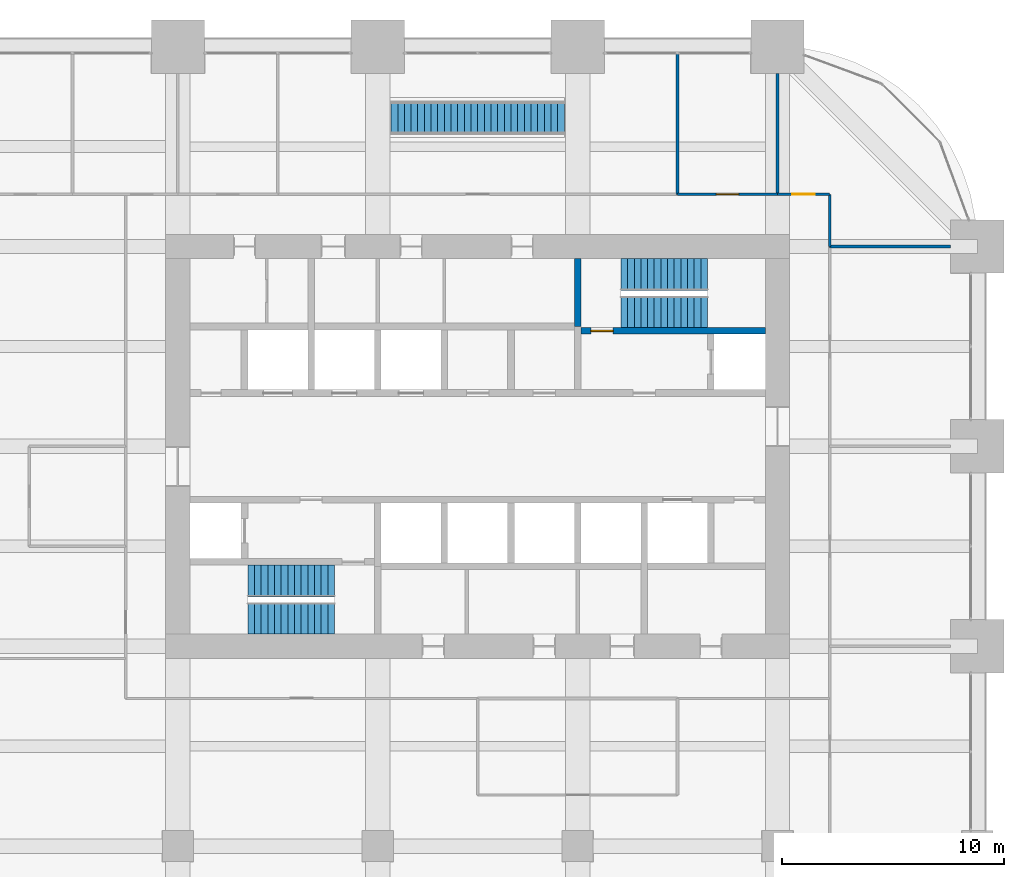
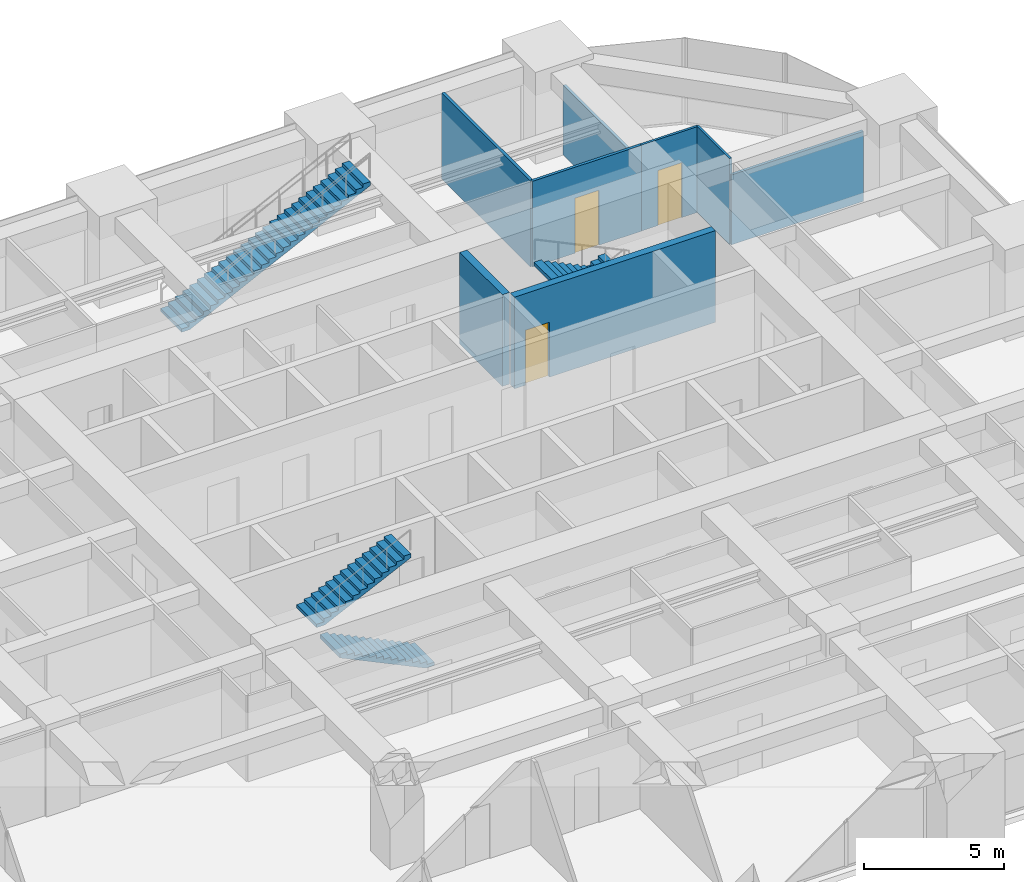
# One storey, part 32 of 34: 8 walls, 5 stair flights, 3 doors, 3 openings, 3 elements without a shape of their own.
"""IFC4 building model written with IfcOpenShell, lengths in metres."""

import ifcopenshell
import ifcopenshell.guid

model = None  # the IFC model being written
_history = None  # IfcOwnerHistory: only IFC2X3 demands one
_inside = {}  # id of a spatial element -> (the spatial element, [elements in it])
_under = {}  # id of a project, library or spatial element -> (it, [spatial elements below it])
_declared = {}  # id of a project -> (the project, [libraries it declares])
_typed = {}  # id of a type object -> (the type object, [elements of that type])
_made_of = {}  # id of a material, layer set ... -> (it, [elements and type objects made of it])


def new_model(schema):
    """Start an empty IFC model of exactly this schema.

    Asked for "IFC4X3", IfcOpenShell would pick the latest addendum, in which some entities
    have other attributes; the version numbers below select the first issue.
    IFC2X3 requires an IfcOwnerHistory on every rooted entity: one is made here for all.
    """
    global model, _history
    if schema == "IFC4X3":
        model = ifcopenshell.file(schema_version=(4, 3, 0, 0))
    else:
        model = ifcopenshell.file(schema=schema)
    _inside.clear()
    _under.clear()
    _declared.clear()
    _typed.clear()
    _made_of.clear()
    _history = None
    if model.schema == "IFC2X3":
        org = make("IfcOrganization", Name="unknown")
        user = make(
            "IfcPersonAndOrganization",
            ThePerson=make("IfcPerson", FamilyName="unknown"),
            TheOrganization=org,
        )
        app = make(
            "IfcApplication",
            ApplicationDeveloper=org,
            Version="unknown",
            ApplicationFullName="unknown",
            ApplicationIdentifier="unknown",
        )
        _history = make(
            "IfcOwnerHistory",
            OwningUser=user,
            OwningApplication=app,
            ChangeAction="ADDED",
            CreationDate=0,
        )
    return model


def make(cls, **values):
    """One entity of the class cls with the attributes given. An attribute that is None is left unset."""
    return model.create_entity(
        cls, **{name: value for name, value in values.items() if value is not None}
    )


def rooted(cls, **values):
    """An entity with a GlobalId (a new one), such as an element, a storey or a relation."""
    return make(cls, GlobalId=ifcopenshell.guid.new(), OwnerHistory=_history, **values)


def si_unit(unit_type, name, prefix=None):
    """IfcSIUnit, for example si_unit("LENGTHUNIT", "METRE", prefix="MILLI")."""
    return make("IfcSIUnit", UnitType=unit_type, Prefix=prefix, Name=name)


def assignment(units):
    """IfcUnitAssignment: the units of a project."""
    return None if units is None else make("IfcUnitAssignment", Units=units)


def point(xyz):
    """IfcCartesianPoint."""
    return None if xyz is None else make("IfcCartesianPoint", Coordinates=xyz)


def direction(xyz):
    """IfcDirection."""
    return None if xyz is None else make("IfcDirection", DirectionRatios=xyz)


def frame(location, z_axis=None, x_axis=None):
    """IfcAxis2Placement3D, a coordinate frame: its origin and axes. An axis left out is left unset."""
    return make(
        "IfcAxis2Placement3D",
        Location=point(location),
        Axis=direction(z_axis),
        RefDirection=direction(x_axis),
    )


def frame_2d(location, x_axis=None):
    """IfcAxis2Placement2D, a coordinate frame in the plane: its origin and x axis."""
    return make(
        "IfcAxis2Placement2D", Location=point(location), RefDirection=direction(x_axis)
    )


def origin():
    """The frame at (0, 0, 0) with its axes left unset."""
    return frame((0.0, 0.0, 0.0))


def place(relative_to, where):
    """IfcLocalPlacement: puts the frame where relative to a parent placement (None: the world)."""
    return make(
        "IfcLocalPlacement", PlacementRelTo=relative_to, RelativePlacement=where
    )


def context(
    kind, dimensions, precision=None, world=None, true_north=None, identifier=None
):
    """IfcGeometricRepresentationContext, for example the 3D "Model" context."""
    return make(
        "IfcGeometricRepresentationContext",
        ContextIdentifier=identifier,
        ContextType=kind,
        CoordinateSpaceDimension=dimensions,
        Precision=precision,
        WorldCoordinateSystem=world,
        TrueNorth=true_north,
    )


def subcontext(parent, identifier, kind, view, scale=None):
    """IfcGeometricRepresentationSubContext, for example "Body" below "Model"."""
    return make(
        "IfcGeometricRepresentationSubContext",
        ContextIdentifier=identifier,
        ContextType=kind,
        ParentContext=parent,
        TargetScale=scale,
        TargetView=view,
    )


def project(units=None, contexts=None):
    """IfcProject with its units and contexts."""
    return rooted(
        "IfcProject",
        Name="project",
        RepresentationContexts=contexts,
        UnitsInContext=assignment(units),
    )


def spatial(cls, under=None, at=None, **own):
    """A site, building, storey or space (cls), placed at a placement, below another one or the project."""
    s = rooted(cls, ObjectPlacement=at, **own)
    if under is not None:
        _under.setdefault(under.id(), (under, []))[1].append(s)
    return s


def polyline(points):
    """IfcPolyline through the points."""
    return make("IfcPolyline", Points=[point(p) for p in points])


def profile(cls, at=None, kind="AREA", **sizes):
    """A parametric profile (cls). Its sizes go by their IFC names, for example OverallWidth=200.0."""
    return make(cls, ProfileType=kind, Position=at, **sizes)


def rectangle(**sizes):
    """IfcRectangleProfileDef."""
    return profile("IfcRectangleProfileDef", **sizes)


def outline(outer, holes=None, kind="AREA"):
    """IfcArbitraryClosedProfileDef: a profile drawn as a closed curve; with holes, ...WithVoids."""
    if holes is None:
        return make("IfcArbitraryClosedProfileDef", ProfileType=kind, OuterCurve=outer)
    return make(
        "IfcArbitraryProfileDefWithVoids",
        ProfileType=kind,
        OuterCurve=outer,
        InnerCurves=holes,
    )


def extrude(swept, where, along, depth):
    """IfcExtrudedAreaSolid: the profile swept, set in the frame where, extruded along a direction by depth."""
    return make(
        "IfcExtrudedAreaSolid",
        SweptArea=swept,
        Position=where,
        ExtrudedDirection=direction(along),
        Depth=depth,
    )


def shape(context_of_items, identifier, shape_type, items):
    """IfcShapeRepresentation: the items that make up one representation, for example the "Body"."""
    return make(
        "IfcShapeRepresentation",
        ContextOfItems=context_of_items,
        RepresentationIdentifier=identifier,
        RepresentationType=shape_type,
        Items=items,
    )


def material(Name=None, Category=None):
    """IfcMaterial."""
    return make("IfcMaterial", Name=Name, Category=Category)


def layer(
    of_material, thickness, ventilated=None, Name=None, Category=None, Priority=None
):
    """IfcMaterialLayer: one layer of a wall or slab, of a material (None: an air gap)."""
    return make(
        "IfcMaterialLayer",
        Material=of_material,
        LayerThickness=thickness,
        IsVentilated=ventilated,
        Name=Name,
        Category=Category,
        Priority=Priority,
    )


def layer_set(layers, Name=None):
    """IfcMaterialLayerSet."""
    return make("IfcMaterialLayerSet", MaterialLayers=layers, LayerSetName=Name)


def constituent(of_material, Name=None, Category=None, fraction=None):
    """IfcMaterialConstituent: one of the materials an element consists of."""
    return make(
        "IfcMaterialConstituent",
        Name=Name,
        Material=of_material,
        Fraction=fraction,
        Category=Category,
    )


def constituent_set(constituents=None, Name=None):
    """IfcMaterialConstituentSet."""
    return make(
        "IfcMaterialConstituentSet", Name=Name, MaterialConstituents=constituents
    )


def made_of(thing, what):
    """Note that an element or type object is made of a material, layer set ...; save() writes the relation."""
    if what is not None:
        _made_of.setdefault(what.id(), (what, []))[1].append(thing)
    return thing


def type_object(cls, material=None, **own):
    """A type object (cls), such as IfcWallType, which elements share."""
    return made_of(rooted(cls, **own), material)


def element(
    cls,
    number,
    at=None,
    inside=None,
    cuts=None,
    type_object=None,
    material=None,
    context=None,
    identifier="Body",
    shape_type=None,
    held_by="IfcProductDefinitionShape",
    body=None,
    shapes=None,
    **own,
):
    """One element of the class cls, such as IfcWall. Its Tag is "e" and its number.

    at: its placement. inside: the storey or other place that contains it. cuts: it is an
    opening in that element (IfcRelVoidsElement). A single representation is given by context,
    identifier, shape_type and body (its items); several are given by shapes. held_by: the class
    of the entity that holds the representations. save() writes the other relations.
    """
    e = rooted(cls, Tag="e%d" % number, ObjectPlacement=at, **own)
    if body is not None:
        shapes = [shape(context, identifier, shape_type, body)]
    if shapes is not None:
        e.Representation = make(held_by, Representations=shapes)
    if inside is not None:
        _inside.setdefault(inside.id(), (inside, []))[1].append(e)
    if cuts is not None:
        rooted(
            "IfcRelVoidsElement", RelatingBuildingElement=cuts, RelatedOpeningElement=e
        )
    if type_object is not None:
        _typed.setdefault(type_object.id(), (type_object, []))[1].append(e)
    return made_of(e, material)


def fill(opening, filler):
    """IfcRelFillsElement: the door or window that sits in an opening."""
    return rooted(
        "IfcRelFillsElement",
        RelatingOpeningElement=opening,
        RelatedBuildingElement=filler,
    )


def aggregate(whole, parts):
    """IfcRelAggregates: a whole, such as a stair, and the parts it consists of."""
    return rooted("IfcRelAggregates", RelatingObject=whole, RelatedObjects=parts)


def save(model, path):
    """Write the relations noted so far, then the file.

    IfcRelAggregates (storeys below a building ...), IfcRelContainedInSpatialStructure (elements
    in a storey), IfcRelDefinesByType, IfcRelAssociatesMaterial and IfcRelDeclares: one each for
    every whole, place, type object, material and project.
    """
    for whole, parts in _under.values():
        aggregate(whole, parts)
    for where, things in _inside.values():
        rooted(
            "IfcRelContainedInSpatialStructure",
            RelatedElements=things,
            RelatingStructure=where,
        )
    for kind, things in _typed.values():
        rooted("IfcRelDefinesByType", RelatedObjects=things, RelatingType=kind)
    for what, things in _made_of.values():
        rooted("IfcRelAssociatesMaterial", RelatedObjects=things, RelatingMaterial=what)
    for by, libraries in _declared.values():
        rooted("IfcRelDeclares", RelatingContext=by, RelatedDefinitions=libraries)
    model.write(path)


model = new_model("IFC4")

# Units and contexts
model_context = context("Model", 3, precision=1e-05, world=origin(), true_north=direction((0.0, 1.0)))
body_context = subcontext(model_context, "Body", "Model", "MODEL_VIEW")
ifc_project = project(units=[si_unit("LENGTHUNIT", "METRE"), si_unit("AREAUNIT", "SQUARE_METRE"), si_unit("VOLUMEUNIT", "CUBIC_METRE"), si_unit("PLANEANGLEUNIT", "RADIAN"), si_unit("MASSUNIT", "GRAM", prefix="KILO")], contexts=[model_context])

# Site, building, storey
site_placement = place(None, origin())
site = spatial("IfcSite", under=ifc_project, at=site_placement, CompositionType="ELEMENT")
building_placement = place(site_placement, origin())
building = spatial("IfcBuilding", under=site, at=building_placement, Name="Zorevar Civic Tower", CompositionType="ELEMENT")
storey_placement = place(building_placement, frame((0.0, 0.0, 214.199951171875)))
storey = spatial("IfcBuildingStorey", under=building, at=storey_placement, Name="L52", CompositionType="ELEMENT", Elevation=214.199951171875)

# Wall, opening, door
ifc_material_1 = material(Name="Laminated glass in black aluminium frame", Category="aluminium")
ifc_layer_1 = layer(ifc_material_1, 0.10009765625)
ifc_layer_set_1 = layer_set([ifc_layer_1], Name="Glazed partition 100")
wall_type_1 = type_object("IfcWallType", Name="Glazed partition 100", PredefinedType="PARTITIONING", material=ifc_layer_set_1)
wall_1_placement = place(storey_placement, frame((45.0, 38.35009765625, 0.0), z_axis=(0.0, 0.0, 1.0), x_axis=(1.0, 0.0, 0.0)))
wall_1 = element("IfcWall", 1, at=wall_1_placement, inside=storey, type_object=wall_type_1, Name="Glazed partition 100 L52", PredefinedType="PARTITIONING", context=body_context, shape_type="SweptSolid", body=[
    extrude(rectangle(XDim=2.35009765625, YDim=0.10009765625, at=frame_2d((1.175048828125, 0.0))), origin(), (0.0, 0.0, 1.0), 3.75),
])
opening_1_placement = place(wall_1_placement, frame((0.675048828125, 0.0, 0.0)))
opening_1 = element("IfcOpeningElement", 2, at=opening_1_placement, cuts=wall_1, Name="Opening L52.31", PredefinedType="OPENING", context=body_context, shape_type="SweptSolid", body=[
    extrude(rectangle(XDim=1.0, YDim=2.39990234375, at=frame_2d((0.5, 1.199951171875))), frame((0.0, 0.06005859375, 0.0), z_axis=(0.0, -1.0, 0.0), x_axis=(1.0, 0.0, 0.0)), (0.0, 0.0, 1.0), 0.1201171875),
])
ifc_material_2 = material(Name="Timber door set", Category="wood")
door_type_1 = type_object("IfcDoorType", Name="Glazed door GD1 1000x2400", OperationType="SINGLE_SWING_LEFT", PredefinedType="DOOR", material=ifc_material_2)
door_1_placement = place(opening_1_placement, origin())
door_1 = element("IfcDoor", 3, at=door_1_placement, inside=storey, type_object=door_type_1, Name="Door L52 D1", OperationType="SINGLE_SWING_RIGHT", OverallHeight=2.39990234375, OverallWidth=1.0, PredefinedType="DOOR", context=body_context, shape_type="SweptSolid", body=[
    extrude(rectangle(XDim=1.0, YDim=2.39990234375, at=frame_2d((0.5, 1.199951171875))), frame((0.0, 0.02001953125, 0.0), z_axis=(0.0, -1.0, 0.0), x_axis=(1.0, 0.0, 0.0)), (0.0, 0.0, 1.0), 0.0400390625),
])
fill(opening_1, door_1)

# Wall
wall_2_placement = place(storey_placement, frame((47.35009765625, 36.0, 0.0), z_axis=(0.0, 0.0, 1.0), x_axis=(0.0, 1.0, 0.0)))
element("IfcWall", 4, at=wall_2_placement, inside=storey, type_object=wall_type_1, Name="Glazed partition 100 L52", PredefinedType="PARTITIONING", context=body_context, shape_type="SweptSolid", body=[
    extrude(rectangle(XDim=2.35009765625, YDim=0.10009765625, at=frame_2d((1.175048828125, 0.0))), origin(), (0.0, 0.0, 1.0), 3.75),
])

# Wall, opening, door
ifc_material_3 = material(Name="Concrete C40/50", Category="concrete")
ifc_layer_2 = layer(ifc_material_3, 0.300048828125)
ifc_layer_set_2 = layer_set([ifc_layer_2], Name="Inner core wall 300")
wall_type_2 = type_object("IfcWallType", Name="Inner core wall 300", PredefinedType="SHEAR", material=ifc_layer_set_2)
wall_3_placement = place(storey_placement, frame((36.14990234375, 32.199951171875, 0.0), z_axis=(0.0, 0.0, 1.0), x_axis=(1.0, 0.0, 0.0)))
wall_3 = element("IfcWall", 5, at=wall_3_placement, inside=storey, type_object=wall_type_2, Name="Inner core wall N00 L52", PredefinedType="SHEAR", context=body_context, shape_type="SweptSolid", body=[
    extrude(rectangle(XDim=8.300048828125, YDim=0.300048828125, at=frame_2d((4.14990234375, 0.0))), origin(), (0.0, 0.0, 1.0), 4.0),
])
opening_2_placement = place(wall_3_placement, frame((0.449951171875, 0.0, 0.0)))
opening_2 = element("IfcOpeningElement", 6, at=opening_2_placement, cuts=wall_3, Name="Opening L52.12", PredefinedType="OPENING", context=body_context, shape_type="SweptSolid", body=[
    extrude(rectangle(XDim=1.0, YDim=2.39990234375, at=frame_2d((0.5, 1.199951171875))), frame((0.0, 0.159912109375, 0.0), z_axis=(0.0, -1.0, 0.0), x_axis=(1.0, 0.0, 0.0)), (0.0, 0.0, 1.0), 0.320068359375),
])
ifc_material_4 = material(Name="Steel door set", Category="steel")
door_type_2 = type_object("IfcDoorType", Name="Fire door FD1 1000x2400", OperationType="SINGLE_SWING_LEFT", PredefinedType="DOOR", material=ifc_material_4)
door_2_placement = place(opening_2_placement, origin())
door_2 = element("IfcDoor", 7, at=door_2_placement, inside=storey, type_object=door_type_2, Name="Door L52 11", OperationType="SINGLE_SWING_RIGHT", OverallHeight=2.39990234375, OverallWidth=1.0, PredefinedType="DOOR", context=body_context, shape_type="SweptSolid", body=[
    extrude(rectangle(XDim=1.0, YDim=2.39990234375, at=frame_2d((0.5, 1.199951171875))), frame((0.0, 0.030029296875, 0.0), z_axis=(0.0, -1.0, 0.0), x_axis=(1.0, 0.0, 0.0)), (0.0, 0.0, 1.0), 0.06005859375),
])
fill(opening_2, door_2)

# Walls
wall_4_placement = place(storey_placement, frame((36.0, 32.39990234375, 0.0), z_axis=(0.0, 0.0, 1.0), x_axis=(0.0, 1.0, 0.0)))
element("IfcWall", 8, at=wall_4_placement, inside=storey, type_object=wall_type_2, Name="Inner core wall N01 L52", PredefinedType="SHEAR", context=body_context, shape_type="SweptSolid", body=[
    extrude(rectangle(XDim=3.050048828125, YDim=0.300048828125, at=frame_2d((1.52490234375, 0.0))), origin(), (0.0, 0.0, 1.0), 4.0),
])
ifc_material_5 = material(Name="Gypsum board on steel studs", Category="steel")
ifc_layer_3 = layer(ifc_material_5, 0.1201171875)
ifc_layer_set_3 = layer_set([ifc_layer_3], Name="Partition 120")
wall_type_3 = type_object("IfcWallType", Name="Partition 120", PredefinedType="PARTITIONING", material=ifc_layer_set_3)
wall_5_placement = place(storey_placement, frame((47.35009765625, 36.0, 0.0), z_axis=(0.0, 0.0, 1.0), x_axis=(1.0, 0.0, 0.0)))
element("IfcWall", 9, at=wall_5_placement, inside=storey, type_object=wall_type_3, Name="Partition 120 L52", PredefinedType="PARTITIONING", context=body_context, shape_type="SweptSolid", body=[
    extrude(rectangle(XDim=5.449951171875, YDim=0.1201171875, at=frame_2d((2.72509765625, 0.0))), origin(), (0.0, 0.0, 1.0), 3.050048828125),
])

# Wall, opening, door
wall_6_placement = place(storey_placement, frame((40.5, 38.35009765625, 0.0), z_axis=(0.0, 0.0, 1.0), x_axis=(1.0, 0.0, 0.0)))
wall_6 = element("IfcWall", 10, at=wall_6_placement, inside=storey, type_object=wall_type_3, Name="Partition 120 L52", PredefinedType="PARTITIONING", context=body_context, shape_type="SweptSolid", body=[
    extrude(rectangle(XDim=4.5, YDim=0.1201171875, at=frame_2d((2.25, 0.0))), origin(), (0.0, 0.0, 1.0), 3.75),
])
opening_3_placement = place(wall_6_placement, frame((1.75, 0.0, 0.0)))
opening_3 = element("IfcOpeningElement", 11, at=opening_3_placement, cuts=wall_6, Name="Opening L52.29", PredefinedType="OPENING", context=body_context, shape_type="SweptSolid", body=[
    extrude(rectangle(XDim=1.0, YDim=2.39990234375, at=frame_2d((0.5, 1.199951171875))), frame((0.0, 0.070068359375, 0.0), z_axis=(0.0, -1.0, 0.0), x_axis=(1.0, 0.0, 0.0)), (0.0, 0.0, 1.0), 0.14013671875),
])
ifc_material_6 = material(Name="Timber door set", Category="wood")
door_type_3 = type_object("IfcDoorType", Name="Door D1 1000x2400", OperationType="SINGLE_SWING_LEFT", PredefinedType="DOOR", material=ifc_material_6)
door_3_placement = place(opening_3_placement, origin())
door_3 = element("IfcDoor", 12, at=door_3_placement, inside=storey, type_object=door_type_3, Name="Door L52 D1", OperationType="SINGLE_SWING_LEFT", OverallHeight=2.39990234375, OverallWidth=1.0, PredefinedType="DOOR", context=body_context, shape_type="SweptSolid", body=[
    extrude(rectangle(XDim=1.0, YDim=2.39990234375, at=frame_2d((0.5, 1.199951171875))), frame((0.0, 0.02490234375, 0.0), z_axis=(0.0, -1.0, 0.0), x_axis=(1.0, 0.0, 0.0)), (0.0, 0.0, 1.0), 0.050048828125),
])
fill(opening_3, door_3)

# Walls
wall_7_placement = place(storey_placement, frame((40.5, 38.35009765625, 0.0), z_axis=(0.0, 0.0, 1.0), x_axis=(0.0, 1.0, 0.0)))
element("IfcWall", 13, at=wall_7_placement, inside=storey, type_object=wall_type_3, Name="Partition 120 L52", PredefinedType="PARTITIONING", context=body_context, shape_type="SweptSolid", body=[
    extrude(rectangle(XDim=6.33984375, YDim=0.1201171875, at=frame_2d((3.169921875, 0.0))), origin(), (0.0, 0.0, 1.0), 3.75),
])
wall_8_placement = place(storey_placement, frame((45.0, 38.35009765625, 0.0), z_axis=(0.0, 0.0, 1.0), x_axis=(0.0, 1.0, 0.0)))
element("IfcWall", 14, at=wall_8_placement, inside=storey, type_object=wall_type_3, Name="Partition 120 L52", PredefinedType="PARTITIONING", context=body_context, shape_type="SweptSolid", body=[
    extrude(rectangle(XDim=5.449951171875, YDim=0.1201171875, at=frame_2d((2.72509765625, 0.0))), origin(), (0.0, 0.0, 1.0), 3.050048828125),
])

# Stair, stair flight
ifc_material_7 = material(Name="Steel S355", Category="steel")
ifc_constituent_1 = constituent(ifc_material_7, Name="Structure")
ifc_material_8 = material(Name="Stone treads", Category="masonry")
ifc_constituent_2 = constituent(ifc_material_8, Name="Finish")
ifc_constituent_set_1 = constituent_set(constituents=[ifc_constituent_1, ifc_constituent_2], Name="Steel S355")
stair_type_1 = type_object("IfcStairType", Name="Interconnecting stair IS1", PredefinedType="STRAIGHT_RUN_STAIR", material=ifc_constituent_set_1)
stair_1_placement = place(storey_placement, origin())
stair_1 = element("IfcStair", 15, at=stair_1_placement, inside=storey, type_object=stair_type_1, Name="Interconnecting stair IS1 L52 to L53", PredefinedType="STRAIGHT_RUN_STAIR")
ifc_material_9 = material(Name="Steel S355", Category="steel")
ifc_constituent_3 = constituent(ifc_material_9, Name="Structure")
ifc_material_10 = material(Name="Stone treads", Category="masonry")
ifc_constituent_4 = constituent(ifc_material_10, Name="Finish")
ifc_constituent_set_2 = constituent_set(constituents=[ifc_constituent_3, ifc_constituent_4], Name="Steel S355")
stair_flight_type_1 = type_object("IfcStairFlightType", Name="Interconnecting stair flight", PredefinedType="STRAIGHT", material=ifc_constituent_set_2)
stair_flight_1_placement = place(storey_placement, frame((27.60009765625, 41.800048828125, 0.0), z_axis=(0.0, 0.0, 1.0), x_axis=(1.0, 0.0, 0.0)))
stair_flight_1 = element("IfcStairFlight", 16, at=stair_flight_1_placement, type_object=stair_flight_type_1, Name="IS1 flight 1", NumberOfRisers=27, NumberOfTreads=26, PredefinedType="STRAIGHT", RiserHeight=0.148148148, TreadLength=0.3, context=body_context, shape_type="SweptSolid", body=[
    extrude(outline(polyline([(0.0, 0.0), (0.0, 0.148193359375), (0.300048828125, 0.148193359375), (0.300048828125, 0.29638671875), (0.60009765625, 0.29638671875), (0.60009765625, 0.4443359375), (0.89990234375, 0.4443359375), (0.89990234375, 0.592529296875), (1.199951171875, 0.592529296875), (1.199951171875, 0.74072265625), (1.5, 0.74072265625), (1.5, 0.888916015625), (1.800048828125, 0.888916015625), (1.800048828125, 1.037109375), (2.10009765625, 1.037109375), (2.10009765625, 1.185302734375), (2.39990234375, 1.185302734375), (2.39990234375, 1.333251953125), (2.699951171875, 1.333251953125), (2.699951171875, 1.4814453125), (3.0, 1.4814453125), (3.0, 1.629638671875), (3.300048828125, 1.629638671875), (3.300048828125, 1.77783203125), (3.60009765625, 1.77783203125), (3.60009765625, 1.926025390625), (3.89990234375, 1.926025390625), (3.89990234375, 2.073974609375), (4.199951171875, 2.073974609375), (4.199951171875, 2.22216796875), (4.5, 2.22216796875), (4.5, 2.370361328125), (4.800048828125, 2.370361328125), (4.800048828125, 2.5185546875), (5.10009765625, 2.5185546875), (5.10009765625, 2.666748046875), (5.39990234375, 2.666748046875), (5.39990234375, 2.814697265625), (5.699951171875, 2.814697265625), (5.699951171875, 2.962890625), (6.0, 2.962890625), (6.0, 3.111083984375), (6.300048828125, 3.111083984375), (6.300048828125, 3.25927734375), (6.60009765625, 3.25927734375), (6.60009765625, 3.407470703125), (6.89990234375, 3.407470703125), (6.89990234375, 3.5556640625), (7.199951171875, 3.5556640625), (7.199951171875, 3.70361328125), (7.5, 3.70361328125), (7.5, 3.851806640625), (7.800048828125, 3.851806640625), (7.800048828125, 4.0), (7.800048828125, 3.6845703125), (0.338623046875, 0.0), (0.0, 0.0)])), frame((0.0, 0.75, 0.0), z_axis=(0.0, -1.0, 0.0), x_axis=(1.0, 0.0, 0.0)), (0.0, 0.0, 1.0), 1.5),
])
aggregate(stair_1, [stair_flight_1])

# Stair, stair flights
ifc_material_11 = material(Name="Precast concrete C40/50", Category="concrete")
stair_type_2 = type_object("IfcStairType", Name="Stair ST 28R", PredefinedType="HALF_TURN_STAIR", material=ifc_material_11)
stair_2_placement = place(storey_placement, origin())
stair_2 = element("IfcStair", 17, at=stair_2_placement, inside=storey, type_object=stair_type_2, Name="Stair ST1 L52", PredefinedType="HALF_TURN_STAIR")
ifc_material_12 = material(Name="Precast concrete C40/50", Category="concrete")
stair_flight_type_2 = type_object("IfcStairFlightType", Name="Stair flight", PredefinedType="STRAIGHT", material=ifc_material_12)
stair_flight_2_placement = place(storey_placement, frame((25.050048828125, 19.262451171875, 0.0), z_axis=(0.0, 0.0, 1.0), x_axis=(-1.0, 0.0, 0.0)))
stair_flight_2 = element("IfcStairFlight", 18, at=stair_flight_2_placement, type_object=stair_flight_type_2, Name="ST1 flight 1", NumberOfRisers=14, NumberOfTreads=13, PredefinedType="STRAIGHT", RiserHeight=0.142857143, TreadLength=0.3, context=body_context, shape_type="SweptSolid", body=[
    extrude(outline(polyline([(0.0, 0.0), (0.0, 0.142822265625), (0.300048828125, 0.142822265625), (0.300048828125, 0.28564453125), (0.60009765625, 0.28564453125), (0.60009765625, 0.428466796875), (0.89990234375, 0.428466796875), (0.89990234375, 0.571533203125), (1.199951171875, 0.571533203125), (1.199951171875, 0.71435546875), (1.5, 0.71435546875), (1.5, 0.857177734375), (1.800048828125, 0.857177734375), (1.800048828125, 1.0), (2.10009765625, 1.0), (2.10009765625, 1.142822265625), (2.39990234375, 1.142822265625), (2.39990234375, 1.28564453125), (2.699951171875, 1.28564453125), (2.699951171875, 1.428466796875), (3.0, 1.428466796875), (3.0, 1.571533203125), (3.300048828125, 1.571533203125), (3.300048828125, 1.71435546875), (3.60009765625, 1.71435546875), (3.60009765625, 1.857177734375), (3.89990234375, 1.857177734375), (3.89990234375, 2.0), (3.89990234375, 1.691162109375), (0.3486328125, 0.0), (0.0, 0.0)])), frame((0.0, 0.71240234375, 0.0), z_axis=(0.0, -1.0, 0.0), x_axis=(1.0, 0.0, 0.0)), (0.0, 0.0, 1.0), 1.425048828125),
])
stair_flight_3_placement = place(storey_placement, frame((21.14990234375, 20.9375, 2.0), z_axis=(0.0, 0.0, 1.0), x_axis=(1.0, 0.0, 0.0)))
stair_flight_3 = element("IfcStairFlight", 19, at=stair_flight_3_placement, type_object=stair_flight_type_2, Name="ST1 flight 2", NumberOfRisers=14, NumberOfTreads=13, PredefinedType="STRAIGHT", RiserHeight=0.142857143, TreadLength=0.3, context=body_context, shape_type="SweptSolid", body=[
    extrude(outline(polyline([(0.0, 0.0), (0.0, 0.142822265625), (0.300048828125, 0.142822265625), (0.300048828125, 0.28564453125), (0.60009765625, 0.28564453125), (0.60009765625, 0.428466796875), (0.89990234375, 0.428466796875), (0.89990234375, 0.571533203125), (1.199951171875, 0.571533203125), (1.199951171875, 0.71435546875), (1.5, 0.71435546875), (1.5, 0.857177734375), (1.800048828125, 0.857177734375), (1.800048828125, 1.0), (2.10009765625, 1.0), (2.10009765625, 1.142822265625), (2.39990234375, 1.142822265625), (2.39990234375, 1.28564453125), (2.699951171875, 1.28564453125), (2.699951171875, 1.428466796875), (3.0, 1.428466796875), (3.0, 1.571533203125), (3.300048828125, 1.571533203125), (3.300048828125, 1.71435546875), (3.60009765625, 1.71435546875), (3.60009765625, 1.857177734375), (3.89990234375, 1.857177734375), (3.89990234375, 2.0), (3.89990234375, 1.691162109375), (0.3486328125, 0.0), (0.0, 0.0)])), frame((0.0, 0.71240234375, 0.0), z_axis=(0.0, -1.0, 0.0), x_axis=(1.0, 0.0, 0.0)), (0.0, 0.0, 1.0), 1.425048828125),
])
aggregate(stair_2, [stair_flight_2, stair_flight_3])

stair_3_placement = place(storey_placement, origin())
stair_3 = element("IfcStair", 20, at=stair_3_placement, inside=storey, type_object=stair_type_2, Name="Stair ST2 L52", PredefinedType="HALF_TURN_STAIR")
stair_flight_4_placement = place(storey_placement, frame((37.949951171875, 34.737548828125, 0.0), z_axis=(0.0, 0.0, 1.0), x_axis=(1.0, 0.0, 0.0)))
stair_flight_4 = element("IfcStairFlight", 21, at=stair_flight_4_placement, type_object=stair_flight_type_2, Name="ST2 flight 1", NumberOfRisers=14, NumberOfTreads=13, PredefinedType="STRAIGHT", RiserHeight=0.142857143, TreadLength=0.3, context=body_context, shape_type="SweptSolid", body=[
    extrude(outline(polyline([(0.0, 0.0), (0.0, 0.142822265625), (0.300048828125, 0.142822265625), (0.300048828125, 0.28564453125), (0.60009765625, 0.28564453125), (0.60009765625, 0.428466796875), (0.89990234375, 0.428466796875), (0.89990234375, 0.571533203125), (1.199951171875, 0.571533203125), (1.199951171875, 0.71435546875), (1.5, 0.71435546875), (1.5, 0.857177734375), (1.800048828125, 0.857177734375), (1.800048828125, 1.0), (2.10009765625, 1.0), (2.10009765625, 1.142822265625), (2.39990234375, 1.142822265625), (2.39990234375, 1.28564453125), (2.699951171875, 1.28564453125), (2.699951171875, 1.428466796875), (3.0, 1.428466796875), (3.0, 1.571533203125), (3.300048828125, 1.571533203125), (3.300048828125, 1.71435546875), (3.60009765625, 1.71435546875), (3.60009765625, 1.857177734375), (3.89990234375, 1.857177734375), (3.89990234375, 2.0), (3.89990234375, 1.691162109375), (0.3486328125, 0.0), (0.0, 0.0)])), frame((0.0, 0.71240234375, 0.0), z_axis=(0.0, -1.0, 0.0), x_axis=(1.0, 0.0, 0.0)), (0.0, 0.0, 1.0), 1.425048828125),
])
stair_flight_5_placement = place(storey_placement, frame((41.85009765625, 33.0625, 2.0), z_axis=(0.0, 0.0, 1.0), x_axis=(-1.0, 0.0, 0.0)))
stair_flight_5 = element("IfcStairFlight", 22, at=stair_flight_5_placement, type_object=stair_flight_type_2, Name="ST2 flight 2", NumberOfRisers=14, NumberOfTreads=13, PredefinedType="STRAIGHT", RiserHeight=0.142857143, TreadLength=0.3, context=body_context, shape_type="SweptSolid", body=[
    extrude(outline(polyline([(0.0, 0.0), (0.0, 0.142822265625), (0.300048828125, 0.142822265625), (0.300048828125, 0.28564453125), (0.60009765625, 0.28564453125), (0.60009765625, 0.428466796875), (0.89990234375, 0.428466796875), (0.89990234375, 0.571533203125), (1.199951171875, 0.571533203125), (1.199951171875, 0.71435546875), (1.5, 0.71435546875), (1.5, 0.857177734375), (1.800048828125, 0.857177734375), (1.800048828125, 1.0), (2.10009765625, 1.0), (2.10009765625, 1.142822265625), (2.39990234375, 1.142822265625), (2.39990234375, 1.28564453125), (2.699951171875, 1.28564453125), (2.699951171875, 1.428466796875), (3.0, 1.428466796875), (3.0, 1.571533203125), (3.300048828125, 1.571533203125), (3.300048828125, 1.71435546875), (3.60009765625, 1.71435546875), (3.60009765625, 1.857177734375), (3.89990234375, 1.857177734375), (3.89990234375, 2.0), (3.89990234375, 1.691162109375), (0.3486328125, 0.0), (0.0, 0.0)])), frame((0.0, 0.71240234375, 0.0), z_axis=(0.0, -1.0, 0.0), x_axis=(1.0, 0.0, 0.0)), (0.0, 0.0, 1.0), 1.425048828125),
])
aggregate(stair_3, [stair_flight_4, stair_flight_5])

save(model, "model.ifc")
